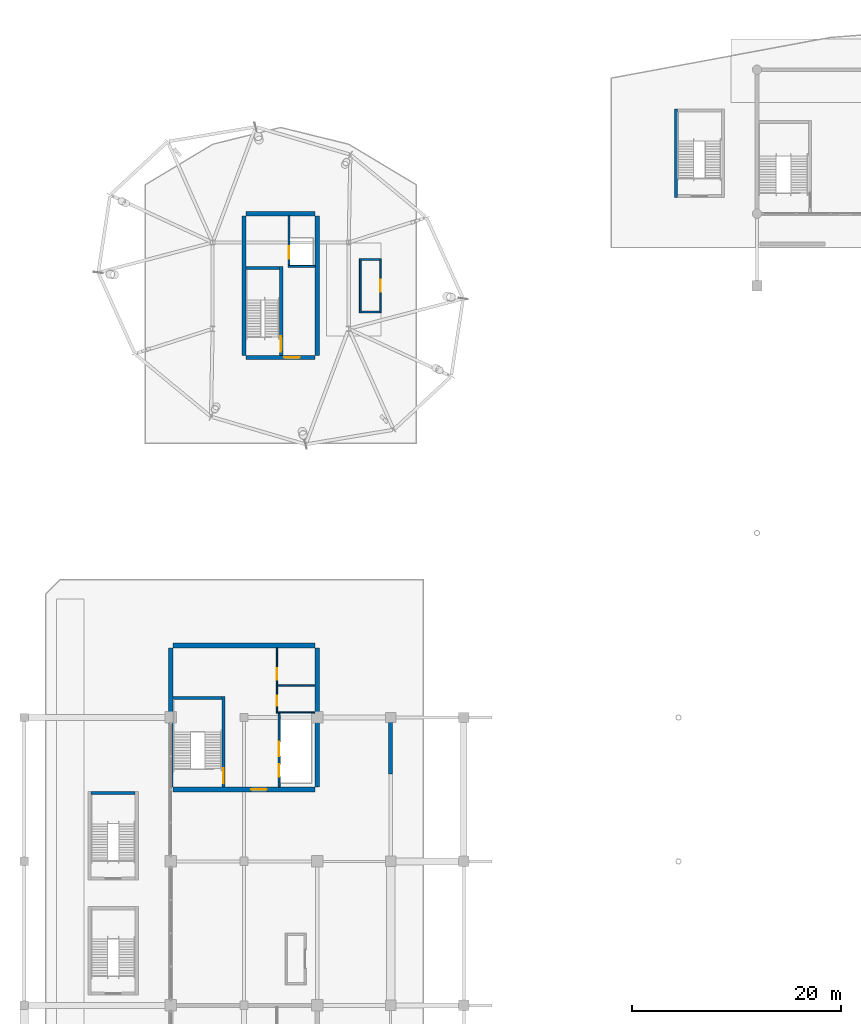
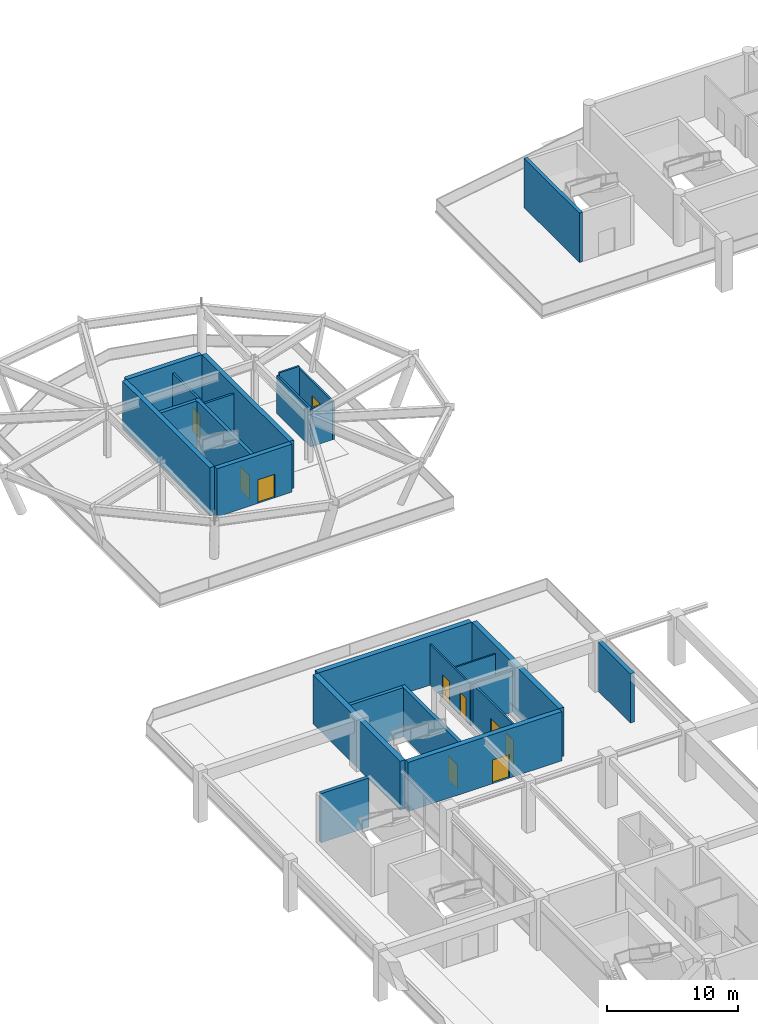
# One storey, part 71 of 91: 25 walls, 10 doors, 10 openings.
"""IFC4 building model written with IfcOpenShell, lengths in metres."""

import ifcopenshell
import ifcopenshell.guid

model = None  # the IFC model being written
_history = None  # IfcOwnerHistory: only IFC2X3 demands one
_inside = {}  # id of a spatial element -> (the spatial element, [elements in it])
_under = {}  # id of a project, library or spatial element -> (it, [spatial elements below it])
_declared = {}  # id of a project -> (the project, [libraries it declares])
_typed = {}  # id of a type object -> (the type object, [elements of that type])
_made_of = {}  # id of a material, layer set ... -> (it, [elements and type objects made of it])


def new_model(schema):
    """Start an empty IFC model of exactly this schema.

    Asked for "IFC4X3", IfcOpenShell would pick the latest addendum, in which some entities
    have other attributes; the version numbers below select the first issue.
    IFC2X3 requires an IfcOwnerHistory on every rooted entity: one is made here for all.
    """
    global model, _history
    if schema == "IFC4X3":
        model = ifcopenshell.file(schema_version=(4, 3, 0, 0))
    else:
        model = ifcopenshell.file(schema=schema)
    _inside.clear()
    _under.clear()
    _declared.clear()
    _typed.clear()
    _made_of.clear()
    _history = None
    if model.schema == "IFC2X3":
        org = make("IfcOrganization", Name="unknown")
        user = make(
            "IfcPersonAndOrganization",
            ThePerson=make("IfcPerson", FamilyName="unknown"),
            TheOrganization=org,
        )
        app = make(
            "IfcApplication",
            ApplicationDeveloper=org,
            Version="unknown",
            ApplicationFullName="unknown",
            ApplicationIdentifier="unknown",
        )
        _history = make(
            "IfcOwnerHistory",
            OwningUser=user,
            OwningApplication=app,
            ChangeAction="ADDED",
            CreationDate=0,
        )
    return model


def make(cls, **values):
    """One entity of the class cls with the attributes given. An attribute that is None is left unset."""
    return model.create_entity(
        cls, **{name: value for name, value in values.items() if value is not None}
    )


def rooted(cls, **values):
    """An entity with a GlobalId (a new one), such as an element, a storey or a relation."""
    return make(cls, GlobalId=ifcopenshell.guid.new(), OwnerHistory=_history, **values)


def si_unit(unit_type, name, prefix=None):
    """IfcSIUnit, for example si_unit("LENGTHUNIT", "METRE", prefix="MILLI")."""
    return make("IfcSIUnit", UnitType=unit_type, Prefix=prefix, Name=name)


def assignment(units):
    """IfcUnitAssignment: the units of a project."""
    return None if units is None else make("IfcUnitAssignment", Units=units)


def point(xyz):
    """IfcCartesianPoint."""
    return None if xyz is None else make("IfcCartesianPoint", Coordinates=xyz)


def direction(xyz):
    """IfcDirection."""
    return None if xyz is None else make("IfcDirection", DirectionRatios=xyz)


def frame(location, z_axis=None, x_axis=None):
    """IfcAxis2Placement3D, a coordinate frame: its origin and axes. An axis left out is left unset."""
    return make(
        "IfcAxis2Placement3D",
        Location=point(location),
        Axis=direction(z_axis),
        RefDirection=direction(x_axis),
    )


def frame_2d(location, x_axis=None):
    """IfcAxis2Placement2D, a coordinate frame in the plane: its origin and x axis."""
    return make(
        "IfcAxis2Placement2D", Location=point(location), RefDirection=direction(x_axis)
    )


def origin():
    """The frame at (0, 0, 0) with its axes left unset."""
    return frame((0.0, 0.0, 0.0))


def place(relative_to, where):
    """IfcLocalPlacement: puts the frame where relative to a parent placement (None: the world)."""
    return make(
        "IfcLocalPlacement", PlacementRelTo=relative_to, RelativePlacement=where
    )


def context(
    kind, dimensions, precision=None, world=None, true_north=None, identifier=None
):
    """IfcGeometricRepresentationContext, for example the 3D "Model" context."""
    return make(
        "IfcGeometricRepresentationContext",
        ContextIdentifier=identifier,
        ContextType=kind,
        CoordinateSpaceDimension=dimensions,
        Precision=precision,
        WorldCoordinateSystem=world,
        TrueNorth=true_north,
    )


def subcontext(parent, identifier, kind, view, scale=None):
    """IfcGeometricRepresentationSubContext, for example "Body" below "Model"."""
    return make(
        "IfcGeometricRepresentationSubContext",
        ContextIdentifier=identifier,
        ContextType=kind,
        ParentContext=parent,
        TargetScale=scale,
        TargetView=view,
    )


def project(units=None, contexts=None):
    """IfcProject with its units and contexts."""
    return rooted(
        "IfcProject",
        Name="project",
        RepresentationContexts=contexts,
        UnitsInContext=assignment(units),
    )


def spatial(cls, under=None, at=None, **own):
    """A site, building, storey or space (cls), placed at a placement, below another one or the project."""
    s = rooted(cls, ObjectPlacement=at, **own)
    if under is not None:
        _under.setdefault(under.id(), (under, []))[1].append(s)
    return s


def profile(cls, at=None, kind="AREA", **sizes):
    """A parametric profile (cls). Its sizes go by their IFC names, for example OverallWidth=200.0."""
    return make(cls, ProfileType=kind, Position=at, **sizes)


def rectangle(**sizes):
    """IfcRectangleProfileDef."""
    return profile("IfcRectangleProfileDef", **sizes)


def extrude(swept, where, along, depth):
    """IfcExtrudedAreaSolid: the profile swept, set in the frame where, extruded along a direction by depth."""
    return make(
        "IfcExtrudedAreaSolid",
        SweptArea=swept,
        Position=where,
        ExtrudedDirection=direction(along),
        Depth=depth,
    )


def shape(context_of_items, identifier, shape_type, items):
    """IfcShapeRepresentation: the items that make up one representation, for example the "Body"."""
    return make(
        "IfcShapeRepresentation",
        ContextOfItems=context_of_items,
        RepresentationIdentifier=identifier,
        RepresentationType=shape_type,
        Items=items,
    )


def material(Name=None, Category=None):
    """IfcMaterial."""
    return make("IfcMaterial", Name=Name, Category=Category)


def layer(
    of_material, thickness, ventilated=None, Name=None, Category=None, Priority=None
):
    """IfcMaterialLayer: one layer of a wall or slab, of a material (None: an air gap)."""
    return make(
        "IfcMaterialLayer",
        Material=of_material,
        LayerThickness=thickness,
        IsVentilated=ventilated,
        Name=Name,
        Category=Category,
        Priority=Priority,
    )


def layer_set(layers, Name=None):
    """IfcMaterialLayerSet."""
    return make("IfcMaterialLayerSet", MaterialLayers=layers, LayerSetName=Name)


def made_of(thing, what):
    """Note that an element or type object is made of a material, layer set ...; save() writes the relation."""
    if what is not None:
        _made_of.setdefault(what.id(), (what, []))[1].append(thing)
    return thing


def type_object(cls, material=None, **own):
    """A type object (cls), such as IfcWallType, which elements share."""
    return made_of(rooted(cls, **own), material)


def element(
    cls,
    number,
    at=None,
    inside=None,
    cuts=None,
    type_object=None,
    material=None,
    context=None,
    identifier="Body",
    shape_type=None,
    held_by="IfcProductDefinitionShape",
    body=None,
    shapes=None,
    **own,
):
    """One element of the class cls, such as IfcWall. Its Tag is "e" and its number.

    at: its placement. inside: the storey or other place that contains it. cuts: it is an
    opening in that element (IfcRelVoidsElement). A single representation is given by context,
    identifier, shape_type and body (its items); several are given by shapes. held_by: the class
    of the entity that holds the representations. save() writes the other relations.
    """
    e = rooted(cls, Tag="e%d" % number, ObjectPlacement=at, **own)
    if body is not None:
        shapes = [shape(context, identifier, shape_type, body)]
    if shapes is not None:
        e.Representation = make(held_by, Representations=shapes)
    if inside is not None:
        _inside.setdefault(inside.id(), (inside, []))[1].append(e)
    if cuts is not None:
        rooted(
            "IfcRelVoidsElement", RelatingBuildingElement=cuts, RelatedOpeningElement=e
        )
    if type_object is not None:
        _typed.setdefault(type_object.id(), (type_object, []))[1].append(e)
    return made_of(e, material)


def fill(opening, filler):
    """IfcRelFillsElement: the door or window that sits in an opening."""
    return rooted(
        "IfcRelFillsElement",
        RelatingOpeningElement=opening,
        RelatedBuildingElement=filler,
    )


def aggregate(whole, parts):
    """IfcRelAggregates: a whole, such as a stair, and the parts it consists of."""
    return rooted("IfcRelAggregates", RelatingObject=whole, RelatedObjects=parts)


def save(model, path):
    """Write the relations noted so far, then the file.

    IfcRelAggregates (storeys below a building ...), IfcRelContainedInSpatialStructure (elements
    in a storey), IfcRelDefinesByType, IfcRelAssociatesMaterial and IfcRelDeclares: one each for
    every whole, place, type object, material and project.
    """
    for whole, parts in _under.values():
        aggregate(whole, parts)
    for where, things in _inside.values():
        rooted(
            "IfcRelContainedInSpatialStructure",
            RelatedElements=things,
            RelatingStructure=where,
        )
    for kind, things in _typed.values():
        rooted("IfcRelDefinesByType", RelatedObjects=things, RelatingType=kind)
    for what, things in _made_of.values():
        rooted("IfcRelAssociatesMaterial", RelatedObjects=things, RelatingMaterial=what)
    for by, libraries in _declared.values():
        rooted("IfcRelDeclares", RelatingContext=by, RelatedDefinitions=libraries)
    model.write(path)


model = new_model("IFC4")

# Units and contexts
model_context = context("Model", 3, precision=1e-05, world=origin(), true_north=direction((0.0, 1.0)))
body_context = subcontext(model_context, "Body", "Model", "MODEL_VIEW")
ifc_project = project(units=[si_unit("LENGTHUNIT", "METRE"), si_unit("AREAUNIT", "SQUARE_METRE"), si_unit("VOLUMEUNIT", "CUBIC_METRE"), si_unit("PLANEANGLEUNIT", "RADIAN"), si_unit("MASSUNIT", "GRAM", prefix="KILO")], contexts=[model_context])

# Site, building, storey
site_placement = place(None, origin())
site = spatial("IfcSite", under=ifc_project, at=site_placement, CompositionType="ELEMENT")
building_placement = place(site_placement, origin())
building = spatial("IfcBuilding", under=site, at=building_placement, Name="Linyun Crest Stadium", CompositionType="ELEMENT")
storey_placement = place(building_placement, frame((0.0, 0.0, 11.39990234375)))
storey = spatial("IfcBuildingStorey", under=building, at=storey_placement, Name="L03", CompositionType="ELEMENT", Elevation=11.39990234375)

# Walls
ifc_material_1 = material(Name="Concrete C50", Category="concrete")
ifc_layer_1 = layer(ifc_material_1, 0.39990234375)
ifc_layer_set_1 = layer_set([ifc_layer_1], Name="Concrete C50")
wall_type_1 = type_object("IfcWallType", Name="CW02", PredefinedType="SHEAR", material=ifc_layer_set_1)
for number, where, z_axis, x_axis, name in (
    (1, (-77.0, 77.949951171875, 0.0), (0.0, 0.0, 1.0), (0.0, 1.0, 0.0), "Core shear wall CW02 CORE-PNW L03.1"),
    (2, (-70.0, 77.949951171875, 0.0), (0.0, 0.0, 1.0), (0.0, 1.0, 0.0), "Core shear wall CW02 CORE-PNW L03.2"),
):
    element("IfcWall", number, at=place(storey_placement, frame(where, z_axis=z_axis, x_axis=x_axis)), inside=storey, type_object=wall_type_1, Name=name, PredefinedType="SHEAR", context=body_context, shape_type="SweptSolid", body=[
        extrude(rectangle(XDim=13.35009765625, YDim=0.39990234375, at=frame_2d((6.675048828125, 0.0))), origin(), (0.0, 0.0, 1.0), 4.47998046875),
    ])

# Wall, opening, door
wall_1_placement = place(storey_placement, frame((-76.800048828125, 77.75, 0.0), z_axis=(0.0, 0.0, 1.0), x_axis=(1.0, 0.0, 0.0)))
wall_1 = element("IfcWall", 3, at=wall_1_placement, inside=storey, type_object=wall_type_1, Name="Core shear wall CW02 CORE-PNW L03.3", PredefinedType="SHEAR", context=body_context, shape_type="SweptSolid", body=[
    extrude(rectangle(XDim=6.60009765625, YDim=0.39990234375, at=frame_2d((3.300048828125, 0.0))), origin(), (0.0, 0.0, 1.0), 4.47998046875),
])
opening_1_placement = place(wall_1_placement, frame((3.6298828125, 0.0, 0.0)))
opening_1 = element("IfcOpeningElement", 4, at=opening_1_placement, cuts=wall_1, Name="Opening D-L03-375", PredefinedType="OPENING", context=body_context, shape_type="SweptSolid", body=[
    extrude(rectangle(XDim=1.5, YDim=2.199951171875, at=frame_2d((0.75, 1.10009765625))), frame((0.0, 0.2099609375, 0.0), z_axis=(0.0, -1.0, 0.0), x_axis=(1.0, 0.0, 0.0)), (0.0, 0.0, 1.0), 0.419921875),
])
ifc_material_2 = material(Name="Galvanized steel Class A fire door", Category="steel")
ifc_layer_2 = layer(ifc_material_2, 0.054931640625)
ifc_layer_set_2 = layer_set([ifc_layer_2], Name="Galvanized steel Class A fire door")
door_type_1 = type_object("IfcDoorType", Name="FD01", OperationType="NOTDEFINED", PredefinedType="DOOR", material=ifc_layer_set_2)
door_1_placement = place(opening_1_placement, origin())
door_1 = element("IfcDoor", 5, at=door_1_placement, inside=storey, type_object=door_type_1, Name="Door D-L03-375", OperationType="SINGLE_SWING_LEFT", OverallHeight=2.199951171875, OverallWidth=1.5, PredefinedType="DOOR", context=body_context, shape_type="SweptSolid", body=[
    extrude(rectangle(XDim=1.5, YDim=2.199951171875, at=frame_2d((0.75, 1.10009765625))), frame((0.0, 0.02490234375, 0.0), z_axis=(0.0, -1.0, 0.0), x_axis=(1.0, 0.0, 0.0)), (0.0, 0.0, 1.0), 0.050048828125),
])
fill(opening_1, door_1)

# Walls
wall_2_placement = place(storey_placement, frame((-76.800048828125, 91.5, 0.0), z_axis=(0.0, 0.0, 1.0), x_axis=(1.0, 0.0, 0.0)))
element("IfcWall", 6, at=wall_2_placement, inside=storey, type_object=wall_type_1, Name="Core shear wall CW02 CORE-PNW L03.4", PredefinedType="SHEAR", context=body_context, shape_type="SweptSolid", body=[
    extrude(rectangle(XDim=6.60009765625, YDim=0.39990234375, at=frame_2d((3.300048828125, 0.0))), origin(), (0.0, 0.0, 1.0), 4.47998046875),
])
ifc_material_3 = material(Name="Concrete C50", Category="concrete")
ifc_layer_3 = layer(ifc_material_3, 0.449951171875)
ifc_layer_set_3 = layer_set([ifc_layer_3], Name="Concrete C50")
wall_type_2 = type_object("IfcWallType", Name="CW03", PredefinedType="SHEAR", material=ifc_layer_set_3)
for number, where, z_axis, x_axis, name in (
    (7, (-84.0, 36.72509765625, 0.0), (0.0, 0.0, 1.0), (0.0, 1.0, 0.0), "Core shear wall CW03 CORE-W3 L03.1"),
    (8, (-70.0, 36.72509765625, 0.0), (0.0, 0.0, 1.0), (0.0, 1.0, 0.0), "Core shear wall CW03 CORE-W3 L03.2"),
):
    element("IfcWall", number, at=place(storey_placement, frame(where, z_axis=z_axis, x_axis=x_axis)), inside=storey, type_object=wall_type_2, Name=name, PredefinedType="SHEAR", context=body_context, shape_type="SweptSolid", body=[
        extrude(rectangle(XDim=13.2998046875, YDim=0.449951171875, at=frame_2d((6.64990234375, 0.0))), origin(), (0.0, 0.0, 1.0), 4.580078125),
    ])

# Wall, opening, door
wall_3_placement = place(storey_placement, frame((-83.77490234375, 36.5, 0.0), z_axis=(0.0, 0.0, 1.0), x_axis=(1.0, 0.0, 0.0)))
wall_3 = element("IfcWall", 9, at=wall_3_placement, inside=storey, type_object=wall_type_2, Name="Core shear wall CW03 CORE-W3 L03.3", PredefinedType="SHEAR", context=body_context, shape_type="SweptSolid", body=[
    extrude(rectangle(XDim=13.5498046875, YDim=0.449951171875, at=frame_2d((6.77490234375, 0.0))), origin(), (0.0, 0.0, 1.0), 4.580078125),
])
opening_2_placement = place(wall_3_placement, frame((7.452880859375, 0.0, 0.0)))
opening_2 = element("IfcOpeningElement", 10, at=opening_2_placement, cuts=wall_3, Name="Opening D-L03-124", PredefinedType="OPENING", context=body_context, shape_type="SweptSolid", body=[
    extrude(rectangle(XDim=1.5, YDim=2.199951171875, at=frame_2d((0.75, 1.10009765625))), frame((0.0, 0.23486328125, 0.0), z_axis=(0.0, -1.0, 0.0), x_axis=(1.0, 0.0, 0.0)), (0.0, 0.0, 1.0), 0.469970703125),
])
door_2_placement = place(opening_2_placement, origin())
door_2 = element("IfcDoor", 11, at=door_2_placement, inside=storey, type_object=door_type_1, Name="Door D-L03-124", OperationType="SINGLE_SWING_RIGHT", OverallHeight=2.199951171875, OverallWidth=1.5, PredefinedType="DOOR", context=body_context, shape_type="SweptSolid", body=[
    extrude(rectangle(XDim=1.5, YDim=2.199951171875, at=frame_2d((0.75, 1.10009765625))), frame((0.0, 0.02490234375, 0.0), z_axis=(0.0, -1.0, 0.0), x_axis=(1.0, 0.0, 0.0)), (0.0, 0.0, 1.0), 0.050048828125),
])
fill(opening_2, door_2)

# Wall
wall_4_placement = place(storey_placement, frame((-83.77490234375, 50.25, 0.0), z_axis=(0.0, 0.0, 1.0), x_axis=(1.0, 0.0, 0.0)))
element("IfcWall", 12, at=wall_4_placement, inside=storey, type_object=wall_type_2, Name="Core shear wall CW03 CORE-W3 L03.4", PredefinedType="SHEAR", context=body_context, shape_type="SweptSolid", body=[
    extrude(rectangle(XDim=13.5498046875, YDim=0.449951171875, at=frame_2d((6.77490234375, 0.0))), origin(), (0.0, 0.0, 1.0), 4.580078125),
])

# Wall, openings, doors
ifc_material_4 = material(Name="Autoclaved aerated concrete block fire partition", Category="concrete")
ifc_layer_4 = layer(ifc_material_4, 0.179931640625)
ifc_layer_set_4 = layer_set([ifc_layer_4], Name="Autoclaved aerated concrete block fire partition")
wall_type_3 = type_object("IfcWallType", Name="PW12", PredefinedType="PARTITIONING", material=ifc_layer_set_4)
wall_5_placement = place(storey_placement, frame((-73.64990234375, 36.72509765625, 0.0), z_axis=(0.0, 0.0, 1.0), x_axis=(0.0, 1.0, 0.0)))
wall_5 = element("IfcWall", 13, at=wall_5_placement, inside=storey, type_object=wall_type_3, Name="Partition PW12 L03 49", PredefinedType="PARTITIONING", context=body_context, shape_type="SweptSolid", body=[
    extrude(rectangle(XDim=7.054931640625, YDim=0.179931640625, at=frame_2d((3.52734375, 0.0))), origin(), (0.0, 0.0, 1.0), 3.80517578125),
])
opening_3_placement = place(wall_5_placement, frame((0.97509765625, 0.0, 0.0)))
opening_3 = element("IfcOpeningElement", 14, at=opening_3_placement, cuts=wall_5, Name="Opening LD042", PredefinedType="OPENING", context=body_context, shape_type="SweptSolid", body=[
    extrude(rectangle(XDim=1.199951171875, YDim=2.25, at=frame_2d((0.60009765625, 1.125))), frame((0.0, 0.099853515625, 0.0), z_axis=(0.0, -1.0, 0.0), x_axis=(1.0, 0.0, 0.0)), (0.0, 0.0, 1.0), 0.199951171875),
])
opening_4_placement = place(wall_5_placement, frame((2.925048828125, 0.0, 0.0)))
opening_4 = element("IfcOpeningElement", 15, at=opening_4_placement, cuts=wall_5, Name="Opening LD043", PredefinedType="OPENING", context=body_context, shape_type="SweptSolid", body=[
    extrude(rectangle(XDim=1.39990234375, YDim=2.300048828125, at=frame_2d((0.699951171875, 1.14990234375))), frame((0.0, 0.099853515625, 0.0), z_axis=(0.0, -1.0, 0.0), x_axis=(1.0, 0.0, 0.0)), (0.0, 0.0, 1.0), 0.199951171875),
])
ifc_material_5 = material(Name="Brushed stainless sliding lift door")
ifc_layer_5 = layer(ifc_material_5, 0.050048828125)
ifc_layer_set_5 = layer_set([ifc_layer_5], Name="Brushed stainless sliding lift door")
door_type_2 = type_object("IfcDoorType", Name="LD02", OperationType="NOTDEFINED", PredefinedType="DOOR", material=ifc_layer_set_5)
door_3_placement = place(opening_3_placement, origin())
door_3 = element("IfcDoor", 16, at=door_3_placement, inside=storey, type_object=door_type_2, Name="Lift landing door LD042", OperationType="DOUBLE_DOOR_SLIDING", OverallHeight=2.25, OverallWidth=1.199951171875, PredefinedType="DOOR", context=body_context, shape_type="SweptSolid", body=[
    extrude(rectangle(XDim=1.199951171875, YDim=2.25, at=frame_2d((0.60009765625, 1.125))), frame((0.0, 0.02490234375, 0.0), z_axis=(0.0, -1.0, 0.0), x_axis=(1.0, 0.0, 0.0)), (0.0, 0.0, 1.0), 0.050048828125),
])
fill(opening_3, door_3)
ifc_material_6 = material(Name="Heavy-duty stainless sliding door")
ifc_layer_6 = layer(ifc_material_6, 0.054931640625)
ifc_layer_set_6 = layer_set([ifc_layer_6], Name="Heavy-duty stainless sliding door")
door_type_3 = type_object("IfcDoorType", Name="LD03", OperationType="NOTDEFINED", PredefinedType="DOOR", material=ifc_layer_set_6)
door_4_placement = place(opening_4_placement, origin())
door_4 = element("IfcDoor", 17, at=door_4_placement, inside=storey, type_object=door_type_3, Name="Lift landing door LD043", OperationType="DOUBLE_DOOR_SLIDING", OverallHeight=2.300048828125, OverallWidth=1.39990234375, PredefinedType="DOOR", context=body_context, shape_type="SweptSolid", body=[
    extrude(rectangle(XDim=1.39990234375, YDim=2.300048828125, at=frame_2d((0.699951171875, 1.14990234375))), frame((0.0, 0.02490234375, 0.0), z_axis=(0.0, -1.0, 0.0), x_axis=(1.0, 0.0, 0.0)), (0.0, 0.0, 1.0), 0.050048828125),
])
fill(opening_4, door_4)

# Wall, opening, door
wall_6_placement = place(storey_placement, frame((-72.699951171875, 86.550048828125, 0.0), z_axis=(0.0, 0.0, 1.0), x_axis=(0.0, 1.0, 0.0)))
wall_6 = element("IfcWall", 18, at=wall_6_placement, inside=storey, type_object=wall_type_3, Name="Partition PW12 L03 134", PredefinedType="PARTITIONING", context=body_context, shape_type="SweptSolid", body=[
    extrude(rectangle(XDim=4.75, YDim=0.179931640625, at=frame_2d((2.375, 0.0))), origin(), (0.0, 0.0, 1.0), 3.655029296875),
])
opening_5_placement = place(wall_6_placement, frame((0.64990234375, 0.0, 0.0)))
opening_5 = element("IfcOpeningElement", 19, at=opening_5_placement, cuts=wall_6, Name="Opening LD110", PredefinedType="OPENING", context=body_context, shape_type="SweptSolid", body=[
    extrude(rectangle(XDim=1.199951171875, YDim=2.25, at=frame_2d((0.60009765625, 1.125))), frame((0.0, 0.099853515625, 0.0), z_axis=(0.0, -1.0, 0.0), x_axis=(1.0, 0.0, 0.0)), (0.0, 0.0, 1.0), 0.199951171875),
])
door_5_placement = place(opening_5_placement, origin())
door_5 = element("IfcDoor", 20, at=door_5_placement, inside=storey, type_object=door_type_2, Name="Lift landing door LD110", OperationType="DOUBLE_DOOR_SLIDING", OverallHeight=2.25, OverallWidth=1.199951171875, PredefinedType="DOOR", context=body_context, shape_type="SweptSolid", body=[
    extrude(rectangle(XDim=1.199951171875, YDim=2.25, at=frame_2d((0.60009765625, 1.125))), frame((0.0, 0.02490234375, 0.0), z_axis=(0.0, -1.0, 0.0), x_axis=(1.0, 0.0, 0.0)), (0.0, 0.0, 1.0), 0.050048828125),
])
fill(opening_5, door_5)

# Wall
wall_7_placement = place(storey_placement, frame((-72.7900390625, 86.4599609375, 0.0), z_axis=(0.0, 0.0, 1.0), x_axis=(1.0, 0.0, 0.0)))
element("IfcWall", 21, at=wall_7_placement, inside=storey, type_object=wall_type_3, Name="Enclosure partition PW12 L03 126", PredefinedType="PARTITIONING", context=body_context, shape_type="SweptSolid", body=[
    extrude(rectangle(XDim=2.590087890625, YDim=0.179931640625, at=frame_2d((1.294921875, 0.0))), origin(), (0.0, 0.0, 1.0), 3.820068359375),
])

# Wall, openings, doors
ifc_material_7 = material(Name="Moisture-resistant ceramic-tiled wet-room wall")
ifc_layer_7 = layer(ifc_material_7, 0.139892578125)
ifc_layer_set_7 = layer_set([ifc_layer_7], Name="Moisture-resistant ceramic-tiled wet-room wall")
wall_type_4 = type_object("IfcWallType", Name="PW15", PredefinedType="PARTITIONING", material=ifc_layer_set_7)
wall_8_placement = place(storey_placement, frame((-73.85009765625, 43.919921875, 0.0), z_axis=(0.0, 0.0, 1.0), x_axis=(0.0, 1.0, 0.0)))
wall_8 = element("IfcWall", 22, at=wall_8_placement, inside=storey, type_object=wall_type_4, Name="Partition PW15 L03 50", PredefinedType="PARTITIONING", context=body_context, shape_type="SweptSolid", body=[
    extrude(rectangle(XDim=6.10498046875, YDim=0.139892578125, at=frame_2d((3.052490234375, 0.0))), origin(), (0.0, 0.0, 1.0), 3.820068359375),
])
opening_6_placement = place(wall_8_placement, frame((0.580078125, 0.0, 0.0)))
opening_6 = element("IfcOpeningElement", 23, at=opening_6_placement, cuts=wall_8, Name="Opening D-L03-128", PredefinedType="OPENING", context=body_context, shape_type="SweptSolid", body=[
    extrude(rectangle(XDim=0.949951171875, YDim=2.14990234375, at=frame_2d((0.47509765625, 1.074951171875))), frame((0.0, 0.079833984375, 0.0), z_axis=(0.0, -1.0, 0.0), x_axis=(1.0, 0.0, 0.0)), (0.0, 0.0, 1.0), 0.159912109375),
])
opening_7_placement = place(wall_8_placement, frame((3.080078125, 0.0, 0.0)))
opening_7 = element("IfcOpeningElement", 24, at=opening_7_placement, cuts=wall_8, Name="Opening D-L03-129", PredefinedType="OPENING", context=body_context, shape_type="SweptSolid", body=[
    extrude(rectangle(XDim=1.10009765625, YDim=2.14990234375, at=frame_2d((0.550048828125, 1.074951171875))), frame((0.0, 0.079833984375, 0.0), z_axis=(0.0, -1.0, 0.0), x_axis=(1.0, 0.0, 0.0)), (0.0, 0.0, 1.0), 0.159912109375),
])
ifc_material_8 = material(Name="Moisture-resistant laminate leaf")
ifc_layer_8 = layer(ifc_material_8, 0.044921875)
ifc_layer_set_8 = layer_set([ifc_layer_8], Name="Moisture-resistant laminate leaf")
door_type_4 = type_object("IfcDoorType", Name="ID02", OperationType="NOTDEFINED", PredefinedType="DOOR", material=ifc_layer_set_8)
door_6_placement = place(opening_6_placement, origin())
door_6 = element("IfcDoor", 25, at=door_6_placement, inside=storey, type_object=door_type_4, Name="Door D-L03-128", OperationType="SINGLE_SWING_RIGHT", OverallHeight=2.14990234375, OverallWidth=0.949951171875, PredefinedType="DOOR", context=body_context, shape_type="SweptSolid", body=[
    extrude(rectangle(XDim=0.949951171875, YDim=2.14990234375, at=frame_2d((0.47509765625, 1.074951171875))), frame((0.0, 0.02490234375, 0.0), z_axis=(0.0, -1.0, 0.0), x_axis=(1.0, 0.0, 0.0)), (0.0, 0.0, 1.0), 0.050048828125),
])
fill(opening_6, door_6)
ifc_material_9 = material(Name="Moisture-resistant laminate leaf")
ifc_layer_9 = layer(ifc_material_9, 0.044921875)
ifc_layer_set_9 = layer_set([ifc_layer_9], Name="Moisture-resistant laminate leaf")
door_type_5 = type_object("IfcDoorType", Name="ID03", OperationType="NOTDEFINED", PredefinedType="DOOR", material=ifc_layer_set_9)
door_7_placement = place(opening_7_placement, origin())
door_7 = element("IfcDoor", 26, at=door_7_placement, inside=storey, type_object=door_type_5, Name="Door D-L03-129", OperationType="SINGLE_SWING_LEFT", OverallHeight=2.14990234375, OverallWidth=1.10009765625, PredefinedType="DOOR", context=body_context, shape_type="SweptSolid", body=[
    extrude(rectangle(XDim=1.10009765625, YDim=2.14990234375, at=frame_2d((0.550048828125, 1.074951171875))), frame((0.0, 0.02490234375, 0.0), z_axis=(0.0, -1.0, 0.0), x_axis=(1.0, 0.0, 0.0)), (0.0, 0.0, 1.0), 0.050048828125),
])
fill(opening_7, door_7)

# Walls
wall_9_placement = place(storey_placement, frame((-73.919921875, 43.85009765625, 0.0), z_axis=(0.0, 0.0, 1.0), x_axis=(1.0, 0.0, 0.0)))
element("IfcWall", 27, at=wall_9_placement, inside=storey, type_object=wall_type_4, Name="Enclosure partition PW15 L03 35", PredefinedType="PARTITIONING", context=body_context, shape_type="SweptSolid", body=[
    extrude(rectangle(XDim=3.69482421875, YDim=0.139892578125, at=frame_2d((1.847412109375, 0.0))), origin(), (0.0, 0.0, 1.0), 3.820068359375),
])
wall_10_placement = place(storey_placement, frame((-73.780029296875, 46.449951171875, 0.0), z_axis=(0.0, 0.0, 1.0), x_axis=(1.0, 0.0, 0.0)))
element("IfcWall", 28, at=wall_10_placement, inside=storey, type_object=wall_type_4, Name="Enclosure partition PW15 L03 36", PredefinedType="PARTITIONING", context=body_context, shape_type="SweptSolid", body=[
    extrude(rectangle(XDim=3.554931640625, YDim=0.139892578125, at=frame_2d((1.77734375, 0.0))), origin(), (0.0, 0.0, 1.0), 3.820068359375),
])

# Wall, opening, door
ifc_material_10 = material(Name="Medical and doping-control hygienic partition")
ifc_layer_10 = layer(ifc_material_10, 0.155029296875)
ifc_layer_set_10 = layer_set([ifc_layer_10], Name="Medical and doping-control hygienic partition")
wall_type_5 = type_object("IfcWallType", Name="PW23", PredefinedType="PARTITIONING", material=ifc_layer_set_10)
wall_11_placement = place(storey_placement, frame((-63.947021484375, 87.205078125, 0.0), z_axis=(0.0, 0.0, 1.0), x_axis=(0.0, -1.0, 0.0)))
wall_11 = element("IfcWall", 29, at=wall_11_placement, inside=storey, type_object=wall_type_5, Name="Partition PW23 L03 271", PredefinedType="PARTITIONING", context=body_context, shape_type="SweptSolid", body=[
    extrude(rectangle(XDim=5.18017578125, YDim=0.155029296875, at=frame_2d((2.590087890625, 0.0))), origin(), (0.0, 0.0, 1.0), 3.55517578125),
])
opening_8_placement = place(wall_11_placement, frame((2.014892578125, 0.0, 0.0)))
opening_8 = element("IfcOpeningElement", 30, at=opening_8_placement, cuts=wall_11, Name="Opening D-L03-534", PredefinedType="OPENING", context=body_context, shape_type="SweptSolid", body=[
    extrude(rectangle(XDim=1.14990234375, YDim=2.199951171875, at=frame_2d((0.574951171875, 1.10009765625))), frame((0.0, 0.08740234375, 0.0), z_axis=(0.0, -1.0, 0.0), x_axis=(1.0, 0.0, 0.0)), (0.0, 0.0, 1.0), 0.175048828125),
])
ifc_material_11 = material(Name="Solid timber acoustic door", Category="wood")
ifc_layer_11 = layer(ifc_material_11, 0.050048828125)
ifc_layer_set_11 = layer_set([ifc_layer_11], Name="Solid timber acoustic door")
door_type_6 = type_object("IfcDoorType", Name="ID15", OperationType="NOTDEFINED", PredefinedType="DOOR", material=ifc_layer_set_11)
door_8_placement = place(opening_8_placement, origin())
door_8 = element("IfcDoor", 31, at=door_8_placement, inside=storey, type_object=door_type_6, Name="Door D-L03-534", OperationType="SINGLE_SWING_RIGHT", OverallHeight=2.199951171875, OverallWidth=1.14990234375, PredefinedType="DOOR", context=body_context, shape_type="SweptSolid", body=[
    extrude(rectangle(XDim=1.14990234375, YDim=2.199951171875, at=frame_2d((0.574951171875, 1.10009765625))), frame((0.0, 0.02490234375, 0.0), z_axis=(0.0, -1.0, 0.0), x_axis=(1.0, 0.0, 0.0)), (0.0, 0.0, 1.0), 0.050048828125),
])
fill(opening_8, door_8)

# Walls
wall_12_placement = place(storey_placement, frame((-65.89697265625, 82.02490234375, 0.0), z_axis=(0.0, 0.0, 1.0), x_axis=(0.0, 1.0, 0.0)))
element("IfcWall", 32, at=wall_12_placement, inside=storey, type_object=wall_type_5, Name="Enclosure partition PW23 L03 529", PredefinedType="PARTITIONING", context=body_context, shape_type="SweptSolid", body=[
    extrude(rectangle(XDim=5.18017578125, YDim=0.155029296875, at=frame_2d((2.590087890625, 0.0))), origin(), (0.0, 0.0, 1.0), 3.55517578125),
])
wall_13_placement = place(storey_placement, frame((-65.819091796875, 82.10302734375, 0.0), z_axis=(0.0, 0.0, 1.0), x_axis=(1.0, 0.0, 0.0)))
element("IfcWall", 33, at=wall_13_placement, inside=storey, type_object=wall_type_5, Name="Enclosure partition PW23 L03 530", PredefinedType="PARTITIONING", context=body_context, shape_type="SweptSolid", body=[
    extrude(rectangle(XDim=1.794189453125, YDim=0.155029296875, at=frame_2d((0.89697265625, 0.0))), origin(), (0.0, 0.0, 1.0), 3.55517578125),
])
wall_14_placement = place(storey_placement, frame((-65.819091796875, 87.126953125, 0.0), z_axis=(0.0, 0.0, 1.0), x_axis=(1.0, 0.0, 0.0)))
element("IfcWall", 34, at=wall_14_placement, inside=storey, type_object=wall_type_5, Name="Enclosure partition PW23 L03 531", PredefinedType="PARTITIONING", context=body_context, shape_type="SweptSolid", body=[
    extrude(rectangle(XDim=1.794189453125, YDim=0.155029296875, at=frame_2d((0.89697265625, 0.0))), origin(), (0.0, 0.0, 1.0), 3.820068359375),
])

# Wall, opening, door
ifc_material_12 = material(Name="Concrete C50", Category="concrete")
ifc_layer_12 = layer(ifc_material_12, 0.300048828125)
ifc_layer_set_12 = layer_set([ifc_layer_12], Name="Concrete C50")
wall_type_6 = type_object("IfcWallType", Name="SW01", PredefinedType="SHEAR", material=ifc_layer_set_12)
wall_15_placement = place(storey_placement, frame((-78.949951171875, 36.72509765625, 0.0), z_axis=(0.0, 0.0, 1.0), x_axis=(0.0, 1.0, 0.0)))
wall_15 = element("IfcWall", 35, at=wall_15_placement, inside=storey, type_object=wall_type_6, Name="Core stair east bearing wall SW01 3 L03", PredefinedType="SHEAR", context=body_context, shape_type="SweptSolid", body=[
    extrude(rectangle(XDim=8.6748046875, YDim=0.300048828125, at=frame_2d((4.33740234375, 0.0))), origin(), (0.0, 0.0, 1.0), 4.580078125),
])
opening_9_placement = place(wall_15_placement, frame((0.344970703125, 0.0, 0.0)))
opening_9 = element("IfcOpeningElement", 36, at=opening_9_placement, cuts=wall_15, Name="Opening D-L03-125", PredefinedType="OPENING", context=body_context, shape_type="SweptSolid", body=[
    extrude(rectangle(XDim=1.449951171875, YDim=2.199951171875, at=frame_2d((0.72509765625, 1.10009765625))), frame((0.0, 0.159912109375, 0.0), z_axis=(0.0, -1.0, 0.0), x_axis=(1.0, 0.0, 0.0)), (0.0, 0.0, 1.0), 0.320068359375),
])
ifc_material_13 = material(Name="Galvanized steel Class A fire door", Category="steel")
ifc_layer_13 = layer(ifc_material_13, 0.054931640625)
ifc_layer_set_13 = layer_set([ifc_layer_13], Name="Galvanized steel Class A fire door")
door_type_7 = type_object("IfcDoorType", Name="FD02", OperationType="NOTDEFINED", PredefinedType="DOOR", material=ifc_layer_set_13)
door_9_placement = place(opening_9_placement, origin())
door_9 = element("IfcDoor", 37, at=door_9_placement, inside=storey, type_object=door_type_7, Name="Door D-L03-125", OperationType="SINGLE_SWING_LEFT", OverallHeight=2.199951171875, OverallWidth=1.449951171875, PredefinedType="DOOR", context=body_context, shape_type="SweptSolid", body=[
    extrude(rectangle(XDim=1.449951171875, YDim=2.199951171875, at=frame_2d((0.72509765625, 1.10009765625))), frame((0.0, 0.02490234375, 0.0), z_axis=(0.0, -1.0, 0.0), x_axis=(1.0, 0.0, 0.0)), (0.0, 0.0, 1.0), 0.050048828125),
])
fill(opening_9, door_9)

wall_16_placement = place(storey_placement, frame((-73.449951171875, 77.949951171875, 0.0), z_axis=(0.0, 0.0, 1.0), x_axis=(0.0, 1.0, 0.0)))
wall_16 = element("IfcWall", 38, at=wall_16_placement, inside=storey, type_object=wall_type_6, Name="Core stair east bearing wall SW01 11 L03", PredefinedType="SHEAR", context=body_context, shape_type="SweptSolid", body=[
    extrude(rectangle(XDim=8.5, YDim=0.300048828125, at=frame_2d((4.25, 0.0))), origin(), (0.0, 0.0, 1.0), 4.47998046875),
])
opening_10_placement = place(wall_16_placement, frame((0.3701171875, 0.0, 0.0)))
opening_10 = element("IfcOpeningElement", 39, at=opening_10_placement, cuts=wall_16, Name="Opening D-L03-376", PredefinedType="OPENING", context=body_context, shape_type="SweptSolid", body=[
    extrude(rectangle(XDim=1.449951171875, YDim=2.199951171875, at=frame_2d((0.72509765625, 1.10009765625))), frame((0.0, 0.159912109375, 0.0), z_axis=(0.0, -1.0, 0.0), x_axis=(1.0, 0.0, 0.0)), (0.0, 0.0, 1.0), 0.320068359375),
])
door_10_placement = place(opening_10_placement, origin())
door_10 = element("IfcDoor", 40, at=door_10_placement, inside=storey, type_object=door_type_7, Name="Door D-L03-376", OperationType="SINGLE_SWING_RIGHT", OverallHeight=2.199951171875, OverallWidth=1.449951171875, PredefinedType="DOOR", context=body_context, shape_type="SweptSolid", body=[
    extrude(rectangle(XDim=1.449951171875, YDim=2.199951171875, at=frame_2d((0.72509765625, 1.10009765625))), frame((0.0, 0.02490234375, 0.0), z_axis=(0.0, -1.0, 0.0), x_axis=(1.0, 0.0, 0.0)), (0.0, 0.0, 1.0), 0.050048828125),
])
fill(opening_10, door_10)

# Walls
wall_17_placement = place(storey_placement, frame((-83.77490234375, 45.25, 0.0), z_axis=(0.0, 0.0, 1.0), x_axis=(1.0, 0.0, 0.0)))
element("IfcWall", 41, at=wall_17_placement, inside=storey, type_object=wall_type_6, Name="Core stair bearing wall SW01 3 L03", PredefinedType="SHEAR", context=body_context, shape_type="SweptSolid", body=[
    extrude(rectangle(XDim=4.6748046875, YDim=0.300048828125, at=frame_2d((2.33740234375, 0.0))), origin(), (0.0, 0.0, 1.0), 4.580078125),
])
wall_18_placement = place(storey_placement, frame((-76.800048828125, 86.300048828125, 0.0), z_axis=(0.0, 0.0, 1.0), x_axis=(1.0, 0.0, 0.0)))
element("IfcWall", 42, at=wall_18_placement, inside=storey, type_object=wall_type_6, Name="Core stair bearing wall SW01 11 L03", PredefinedType="SHEAR", context=body_context, shape_type="SweptSolid", body=[
    extrude(rectangle(XDim=3.199951171875, YDim=0.300048828125, at=frame_2d((1.60009765625, 0.0))), origin(), (0.0, 0.0, 1.0), 4.47998046875),
])
wall_19_placement = place(storey_placement, frame((-91.60009765625, 36.14990234375, 0.0), z_axis=(0.0, 0.0, 1.0), x_axis=(1.0, 0.0, 0.0)))
element("IfcWall", 43, at=wall_19_placement, inside=storey, type_object=wall_type_6, Name="Stair shaft wall SW01 STR-17 L03 N", PredefinedType="SHEAR", context=body_context, shape_type="SweptSolid", body=[
    extrude(rectangle(XDim=4.2001953125, YDim=0.300048828125, at=frame_2d((2.10009765625, 0.0))), origin(), (0.0, 0.0, 1.0), 4.580078125),
])
wall_20_placement = place(storey_placement, frame((-35.75, 93.050048828125, 0.0), z_axis=(0.0, 0.0, 1.0), x_axis=(0.0, 1.0, 0.0)))
element("IfcWall", 44, at=wall_20_placement, inside=storey, type_object=wall_type_6, Name="Stair shaft wall SW01 STR-23 L03 W", PredefinedType="SHEAR", context=body_context, shape_type="SweptSolid", body=[
    extrude(rectangle(XDim=8.449951171875, YDim=0.300048828125, at=frame_2d((4.22509765625, 0.0))), origin(), (0.0, 0.0, 1.0), 4.60009765625),
])
ifc_material_14 = material(Name="Concrete C50", Category="concrete")
ifc_layer_14 = layer(ifc_material_14, 0.3798828125)
ifc_layer_set_14 = layer_set([ifc_layer_14], Name="Concrete C50")
wall_type_7 = type_object("IfcWallType", Name="SW02", PredefinedType="SHEAR", material=ifc_layer_set_14)
wall_21_placement = place(storey_placement, frame((-63.0, 38.0, 0.0), z_axis=(0.0, 0.0, 1.0), x_axis=(0.0, 1.0, 0.0)))
element("IfcWall", 45, at=wall_21_placement, inside=storey, type_object=wall_type_7, Name="Shear wall SW02 L03 308", PredefinedType="SHEAR", context=body_context, shape_type="SweptSolid", body=[
    extrude(rectangle(XDim=5.0, YDim=0.3798828125, at=frame_2d((2.5, 0.0))), origin(), (0.0, 0.0, 1.0), 4.580078125),
])

save(model, "model.ifc")
